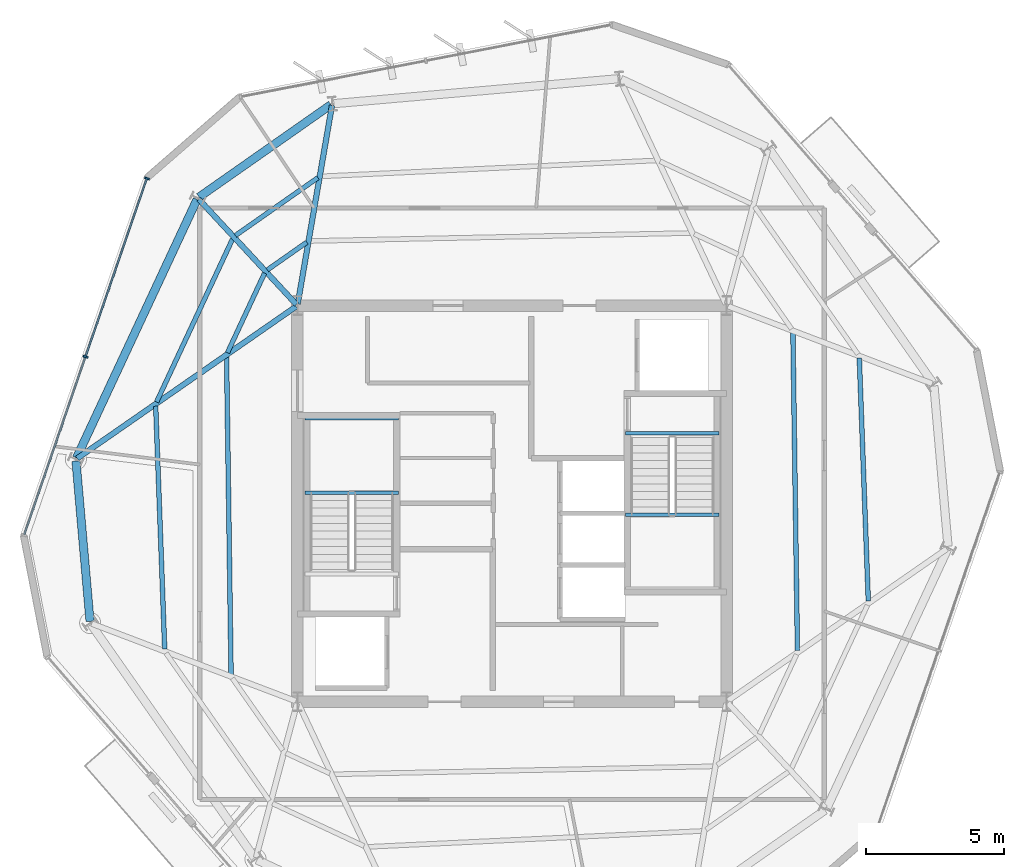
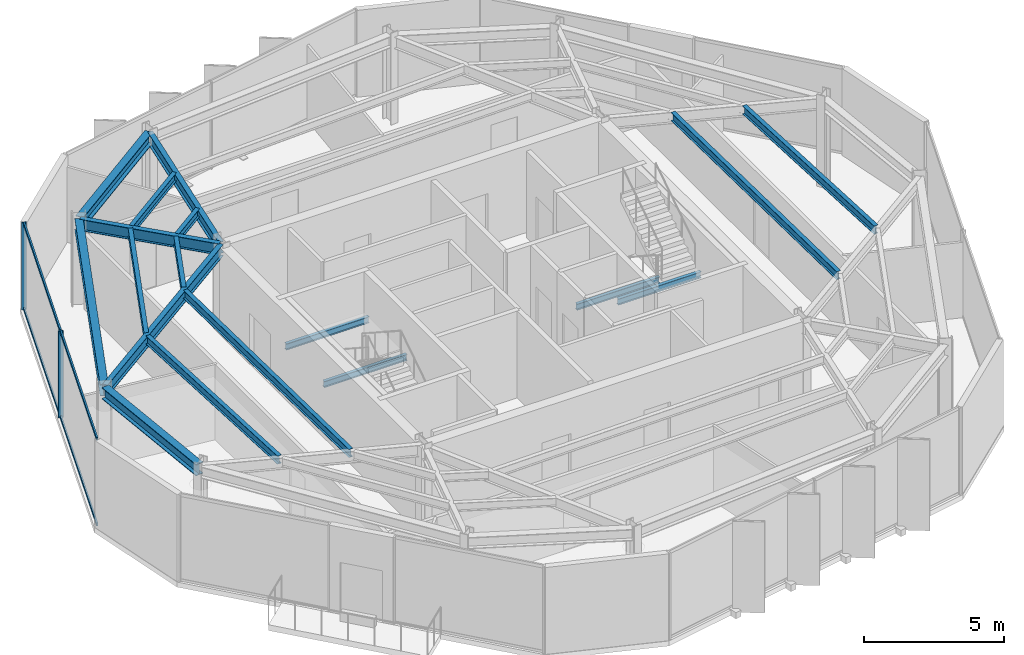
# One storey, part 3 of 10: 18 beams, 6 members, 1 element without a shape of its own.
"""IFC4 building model written with IfcOpenShell, lengths in metres."""

from ifc_helpers import new_model, si_unit, direction, frame, origin, origin_2d, place, context, subcontext, project, spatial, rectangle, i_section, extrude, material, layer, layer_set, material_profile, profile_set, type_object, element, aggregate, save


model = new_model("IFC4")

# Units and contexts
model_context = context("Model", 3, precision=1e-05, world=origin(), true_north=direction((0.0, 1.0)))
body_context = subcontext(model_context, "Body", "Model", "MODEL_VIEW")
ifc_project = project(units=[si_unit("LENGTHUNIT", "METRE"), si_unit("AREAUNIT", "SQUARE_METRE"), si_unit("VOLUMEUNIT", "CUBIC_METRE"), si_unit("PLANEANGLEUNIT", "RADIAN"), si_unit("MASSUNIT", "GRAM", prefix="KILO")], contexts=[model_context])

# Site, building, storey
site_placement = place(None, origin())
site = spatial("IfcSite", under=ifc_project, at=site_placement, CompositionType="ELEMENT")
building_placement = place(site_placement, origin())
building = spatial("IfcBuilding", under=site, at=building_placement, Name="Kranzbogen Civic Tower", CompositionType="ELEMENT")
storey_placement = place(building_placement, frame((0.0, 0.0, 310.199951171875)))
storey = spatial("IfcBuildingStorey", under=building, at=storey_placement, Name="L75", CompositionType="ELEMENT", Elevation=310.199951171875)

# Curtain wall, members
ifc_material_1 = material(Name="Pale Anodised Aluminium", Category="aluminium")
ifc_layer = layer(ifc_material_1, 0.219970703125, Name="Pale Anodised Aluminium")
ifc_layer_set = layer_set([ifc_layer], Name="Pale Anodised Aluminium")
curtain_wall_type = type_object("IfcCurtainWallType", Name="Zone 4 Stick Curtain Wall System CW-05", PredefinedType="USERDEFINED", material=ifc_layer_set)
curtain_wall_placement = place(storey_placement, origin())
curtain_wall = element("IfcCurtainWall", 1, at=curtain_wall_placement, inside=storey, type_object=curtain_wall_type, Name="L75 curtain wall CW-L75-F2", ObjectType="STICK CURTAIN WALL", PredefinedType="USERDEFINED")
ifc_material_profile_1 = material_profile(ifc_material_1, rectangle(XDim=0.06494140625, YDim=0.179931640625, at=origin_2d()), Name="ALU-M 65x180")
ifc_profile_set_1 = profile_set([ifc_material_profile_1], Name="Pale Anodised Aluminium")
member_type_1 = type_object("IfcMemberType", Name="Curtain Wall Mullion ALU-M 65x180", PredefinedType="MULLION", material=ifc_profile_set_1)
member_1_placement = place(storey_placement, frame((11.730224609375, 36.82275390625, 0.0), z_axis=(0.0, 0.0, 1.0), x_axis=(-0.325554430043, -0.945523301183, 0.0)))
member_1 = element("IfcMember", 2, at=member_1_placement, type_object=member_type_1, Name="CW-05 mullion 1", PredefinedType="MULLION", context=body_context, shape_type="SweptSolid", body=[
    extrude(rectangle(XDim=0.06494140625, YDim=0.179931640625, at=origin_2d()), origin(), (0.0, 0.0, 1.0), 3.780029296875),
])
member_2_placement = place(storey_placement, frame((9.49755859375, 30.337890625, 0.0), z_axis=(0.0, 0.0, 1.0), x_axis=(-0.325554430043, -0.945523301183, 0.0)))
member_2 = element("IfcMember", 3, at=member_2_placement, type_object=member_type_1, Name="CW-05 mullion 2", PredefinedType="MULLION", context=body_context, shape_type="SweptSolid", body=[
    extrude(rectangle(XDim=0.06494140625, YDim=0.179931640625, at=origin_2d()), origin(), (0.0, 0.0, 1.0), 3.780029296875),
])
ifc_material_profile_2 = material_profile(ifc_material_1, rectangle(XDim=0.06494140625, YDim=0.135009765625, at=origin_2d()), Name="ALU-T 65x135")
ifc_profile_set_2 = profile_set([ifc_material_profile_2], Name="Pale Anodised Aluminium")
member_type_2 = type_object("IfcMemberType", Name="Curtain Wall Transom ALU-T 65x135", PredefinedType="USERDEFINED", material=ifc_profile_set_2)
member_3_placement = place(storey_placement, frame((11.720458984375, 36.794189453125, 0.030029296875), z_axis=(-0.325553468761, -0.945523632162, 0.0), x_axis=(0.945523632162, -0.325553468761, 0.0)))
member_3 = element("IfcMember", 4, at=member_3_placement, type_object=member_type_2, Name="CW-05 transom 1.1", ObjectType="TRANSOM", PredefinedType="USERDEFINED", context=body_context, shape_type="SweptSolid", body=[
    extrude(rectangle(XDim=0.06494140625, YDim=0.135009765625, at=origin_2d()), origin(), (0.0, 0.0, 1.0), 6.798095703125),
])
member_4_placement = place(storey_placement, frame((11.720458984375, 36.794189453125, 3.75), z_axis=(-0.325553468761, -0.945523632162, 0.0), x_axis=(0.945523632162, -0.325553468761, 0.0)))
member_4 = element("IfcMember", 5, at=member_4_placement, type_object=member_type_2, Name="CW-05 transom 1.2", ObjectType="TRANSOM", PredefinedType="USERDEFINED", context=body_context, shape_type="SweptSolid", body=[
    extrude(rectangle(XDim=0.06494140625, YDim=0.135009765625, at=origin_2d()), origin(), (0.0, 0.0, 1.0), 6.798095703125),
])
member_5_placement = place(storey_placement, frame((9.48779296875, 30.3095703125, 0.030029296875), z_axis=(-0.325585575166, -0.945512576989, 0.0), x_axis=(0.945512576989, -0.325585575166, 0.0)))
member_5 = element("IfcMember", 6, at=member_5_placement, type_object=member_type_2, Name="CW-05 transom 2.1", ObjectType="TRANSOM", PredefinedType="USERDEFINED", context=body_context, shape_type="SweptSolid", body=[
    extrude(rectangle(XDim=0.06494140625, YDim=0.135009765625, at=origin_2d()), origin(), (0.0, 0.0, 1.0), 6.798095703125),
])
member_6_placement = place(storey_placement, frame((9.48779296875, 30.3095703125, 3.75), z_axis=(-0.325585575166, -0.945512576989, 0.0), x_axis=(0.945512576989, -0.325585575166, 0.0)))
member_6 = element("IfcMember", 7, at=member_6_placement, type_object=member_type_2, Name="CW-05 transom 2.2", ObjectType="TRANSOM", PredefinedType="USERDEFINED", context=body_context, shape_type="SweptSolid", body=[
    extrude(rectangle(XDim=0.06494140625, YDim=0.135009765625, at=origin_2d()), origin(), (0.0, 0.0, 1.0), 6.798095703125),
])
aggregate(curtain_wall, [member_1, member_2, member_3, member_4, member_5, member_6])

# Beams
ifc_material_2 = material(Name="Steel S355", Category="steel")
ifc_material_profile_3 = material_profile(ifc_material_2, i_section(OverallWidth=0.300048828125, OverallDepth=0.5, WebThickness=0.014404296875, FlangeThickness=0.028076171875, at=origin_2d()), Name="HEB 500")
ifc_profile_set_3 = profile_set([ifc_material_profile_3], Name="Steel S355")
beam_type_1 = type_object("IfcBeamType", Name="Perimeter Tube Spandrel Beam HEB 500", PredefinedType="SPANDREL", material=ifc_profile_set_3)
beam_1_placement = place(storey_placement, frame((18.41796875, 39.501953125, 3.530029296875), z_axis=(-0.819059436004, -0.57370867197, 0.0), x_axis=(0.57370867197, -0.819059436004, 0.0)))
element("IfcBeam", 8, at=beam_1_placement, inside=storey, type_object=beam_type_1, Name="L75 perimeter spandrel beam 10", PredefinedType="SPANDREL", context=body_context, shape_type="SweptSolid", body=[
    extrude(i_section(OverallWidth=0.300048828125, OverallDepth=0.5, WebThickness=0.014404296875, FlangeThickness=0.028076171875, at=origin_2d()), origin(), (0.0, 0.0, 1.0), 5.85302734375),
])
beam_2_placement = place(storey_placement, frame((13.550048828125, 36.055908203125, 3.530029296875), z_axis=(-0.422668780888, -0.906284227857, 0.0), x_axis=(0.906284227857, -0.422668780888, 0.0)))
element("IfcBeam", 9, at=beam_2_placement, inside=storey, type_object=beam_type_1, Name="L75 perimeter spandrel beam 11", PredefinedType="SPANDREL", context=body_context, shape_type="SweptSolid", body=[
    extrude(i_section(OverallWidth=0.300048828125, OverallDepth=0.5, WebThickness=0.014404296875, FlangeThickness=0.028076171875, at=origin_2d()), origin(), (0.0, 0.0, 1.0), 10.363037109375),
])
beam_3_placement = place(storey_placement, frame((9.14990234375, 26.550048828125, 3.530029296875), z_axis=(0.087326362434, -0.99617975608, 0.0), x_axis=(0.99617975608, 0.087326362434, 0.0)))
element("IfcBeam", 10, at=beam_3_placement, inside=storey, type_object=beam_type_1, Name="L75 perimeter spandrel beam 12", PredefinedType="SPANDREL", context=body_context, shape_type="SweptSolid", body=[
    extrude(i_section(OverallWidth=0.300048828125, OverallDepth=0.5, WebThickness=0.014404296875, FlangeThickness=0.028076171875, at=origin_2d()), origin(), (0.0, 0.0, 1.0), 5.8515625),
])
ifc_material_profile_4 = material_profile(ifc_material_2, i_section(OverallWidth=0.199951171875, OverallDepth=0.5, WebThickness=0.01025390625, FlangeThickness=0.01611328125, at=origin_2d()), Name="IPE 500")
ifc_profile_set_4 = profile_set([ifc_material_profile_4], Name="Steel S355")
beam_type_2 = type_object("IfcBeamType", Name="Radial Tower Floor Girder IPE 500", PredefinedType="BEAM", material=ifc_profile_set_4)
beam_4_placement = place(storey_placement, frame((18.45703125, 39.47705078125, 3.530029296875), z_axis=(-0.170249558486, -0.985400978199, 0.0), x_axis=(0.985400978199, -0.170249558486, 0.0)))
element("IfcBeam", 11, at=beam_4_placement, inside=storey, type_object=beam_type_2, Name="L75 radial floor girder 10", PredefinedType="BEAM", context=body_context, shape_type="SweptSolid", body=[
    extrude(i_section(OverallWidth=0.199951171875, OverallDepth=0.5, WebThickness=0.01025390625, FlangeThickness=0.01611328125, at=origin_2d()), origin(), (0.0, 0.0, 1.0), 7.324951171875),
])
beam_5_placement = place(storey_placement, frame((13.615966796875, 36.06591796875, 3.530029296875), z_axis=(0.679827353702, -0.733372190064, 0.0), x_axis=(0.733372190064, 0.679827353702, 0.0)))
element("IfcBeam", 12, at=beam_5_placement, inside=storey, type_object=beam_type_2, Name="L75 radial floor girder 11", PredefinedType="BEAM", context=body_context, shape_type="SweptSolid", body=[
    extrude(i_section(OverallWidth=0.199951171875, OverallDepth=0.5, WebThickness=0.01025390625, FlangeThickness=0.01611328125, at=origin_2d()), origin(), (0.0, 0.0, 1.0), 5.211669921875),
])
beam_6_placement = place(storey_placement, frame((9.194091796875, 26.64404296875, 3.530029296875), z_axis=(0.821542812331, 0.570146829779, 0.0), x_axis=(-0.570146829779, 0.821542812331, 0.0)))
element("IfcBeam", 13, at=beam_6_placement, inside=storey, type_object=beam_type_2, Name="L75 radial floor girder 12", PredefinedType="BEAM", context=body_context, shape_type="SweptSolid", body=[
    extrude(i_section(OverallWidth=0.199951171875, OverallDepth=0.5, WebThickness=0.01025390625, FlangeThickness=0.01611328125, at=origin_2d()), origin(), (0.0, 0.0, 1.0), 9.68505859375),
])
ifc_material_profile_5 = material_profile(ifc_material_2, i_section(OverallWidth=0.169921875, OverallDepth=0.360107421875, WebThickness=0.008056640625, FlangeThickness=0.0126953125, at=origin_2d()), Name="IPE 360")
ifc_profile_set_5 = profile_set([ifc_material_profile_5], Name="Steel S355")
beam_type_3 = type_object("IfcBeamType", Name="Secondary Composite Floor Joist IPE 360", PredefinedType="JOIST", material=ifc_profile_set_5)
beam_7_placement = place(storey_placement, frame((37.951904296875, 21.4580078125, 3.60009765625), z_axis=(-0.036992246074, 0.999315552631, 0.0), x_axis=(-0.999315552631, -0.036992246074, 0.0)))
element("IfcBeam", 14, at=beam_7_placement, inside=storey, type_object=beam_type_3, Name="L75 secondary floor joist 1.06", PredefinedType="JOIST", context=body_context, shape_type="SweptSolid", body=[
    extrude(i_section(OverallWidth=0.169921875, OverallDepth=0.360107421875, WebThickness=0.008056640625, FlangeThickness=0.0126953125, at=origin_2d()), origin(), (0.0, 0.0, 1.0), 8.837158203125),
])
beam_8_placement = place(storey_placement, frame((35.3759765625, 19.6689453125, 3.60009765625), z_axis=(-0.014221385906, 0.999898870978, 0.0), x_axis=(-0.999898870978, -0.014221385906, 0.0)))
element("IfcBeam", 15, at=beam_8_placement, inside=storey, type_object=beam_type_3, Name="L75 secondary floor joist 2.06", PredefinedType="JOIST", context=body_context, shape_type="SweptSolid", body=[
    extrude(i_section(OverallWidth=0.169921875, OverallDepth=0.360107421875, WebThickness=0.008056640625, FlangeThickness=0.0126953125, at=origin_2d()), origin(), (0.0, 0.0, 1.0), 11.536376953125),
])
beam_9_placement = place(storey_placement, frame((17.945068359375, 36.84912109375, 3.60009765625), z_axis=(-0.819006333711, -0.573784476385, 0.0), x_axis=(0.573784476385, -0.819006333711, 0.0)))
element("IfcBeam", 16, at=beam_9_placement, inside=storey, type_object=beam_type_3, Name="L75 secondary floor joist 1.10", PredefinedType="JOIST", context=body_context, shape_type="SweptSolid", body=[
    extrude(i_section(OverallWidth=0.169921875, OverallDepth=0.360107421875, WebThickness=0.008056640625, FlangeThickness=0.0126953125, at=origin_2d()), origin(), (0.0, 0.0, 1.0), 3.661865234375),
])
beam_10_placement = place(storey_placement, frame((17.5400390625, 34.501953125, 3.60009765625), z_axis=(-0.818956727849, -0.573855276103, 0.0), x_axis=(0.573855276103, -0.818956727849, 0.0)))
element("IfcBeam", 17, at=beam_10_placement, inside=storey, type_object=beam_type_3, Name="L75 secondary floor joist 2.10", PredefinedType="JOIST", context=body_context, shape_type="SweptSolid", body=[
    extrude(i_section(OverallWidth=0.169921875, OverallDepth=0.360107421875, WebThickness=0.008056640625, FlangeThickness=0.0126953125, at=origin_2d()), origin(), (0.0, 0.0, 1.0), 1.751220703125),
])
beam_11_placement = place(storey_placement, frame((14.845947265625, 34.6298828125, 3.60009765625), z_axis=(-0.422542528713, -0.906343098075, 0.0), x_axis=(0.906343098075, -0.422542528713, 0.0)))
element("IfcBeam", 18, at=beam_11_placement, inside=storey, type_object=beam_type_3, Name="L75 secondary floor joist 1.11", PredefinedType="JOIST", context=body_context, shape_type="SweptSolid", body=[
    extrude(i_section(OverallWidth=0.169921875, OverallDepth=0.360107421875, WebThickness=0.008056640625, FlangeThickness=0.0126953125, at=origin_2d()), origin(), (0.0, 0.0, 1.0), 6.548095703125),
])
beam_12_placement = place(storey_placement, frame((16.006103515625, 33.37890625, 3.60009765625), z_axis=(-0.422651143991, -0.906292453065, 0.0), x_axis=(0.906292453065, -0.422651143991, 0.0)))
element("IfcBeam", 19, at=beam_12_placement, inside=storey, type_object=beam_type_3, Name="L75 secondary floor joist 2.11", PredefinedType="JOIST", context=body_context, shape_type="SweptSolid", body=[
    extrude(i_section(OverallWidth=0.169921875, OverallDepth=0.360107421875, WebThickness=0.008056640625, FlangeThickness=0.0126953125, at=origin_2d()), origin(), (0.0, 0.0, 1.0), 3.1943359375),
])
beam_13_placement = place(storey_placement, frame((12.048095703125, 28.5419921875, 3.60009765625), z_axis=(0.036992246074, -0.999315552631, 0.0), x_axis=(0.999315552631, 0.036992246074, 0.0)))
element("IfcBeam", 20, at=beam_13_placement, inside=storey, type_object=beam_type_3, Name="L75 secondary floor joist 1.12", PredefinedType="JOIST", context=body_context, shape_type="SweptSolid", body=[
    extrude(i_section(OverallWidth=0.169921875, OverallDepth=0.360107421875, WebThickness=0.008056640625, FlangeThickness=0.0126953125, at=origin_2d()), origin(), (0.0, 0.0, 1.0), 8.837158203125),
])
beam_14_placement = place(storey_placement, frame((14.6240234375, 30.3310546875, 3.60009765625), z_axis=(0.014221385906, -0.999898870978, 0.0), x_axis=(0.999898870978, 0.014221385906, 0.0)))
element("IfcBeam", 21, at=beam_14_placement, inside=storey, type_object=beam_type_3, Name="L75 secondary floor joist 2.12", PredefinedType="JOIST", context=body_context, shape_type="SweptSolid", body=[
    extrude(i_section(OverallWidth=0.169921875, OverallDepth=0.360107421875, WebThickness=0.008056640625, FlangeThickness=0.0126953125, at=origin_2d()), origin(), (0.0, 0.0, 1.0), 11.536376953125),
])
ifc_material_profile_6 = material_profile(ifc_material_2, i_section(OverallWidth=0.135009765625, OverallDepth=0.27001953125, WebThickness=0.006591796875, FlangeThickness=0.01025390625, at=origin_2d()), Name="IPE 270")
ifc_profile_set_6 = profile_set([ifc_material_profile_6], Name="Steel S355")
beam_type_4 = type_object("IfcBeamType", Name="Stair Landing Support Beam IPE 270", PredefinedType="JOIST", material=ifc_profile_set_6)
for number, where, z_axis, x_axis, name in (
    (22, (20.8798828125, 25.39990234375, 1.6650390625), (-1.0, 0.0, 0.0), (0.0, -1.0, 0.0), "L75 ST-T1 landing support beam 1.1"),
    (23, (20.8798828125, 28.10009765625, 1.6650390625), (-1.0, 0.0, 0.0), (0.0, -1.0, 0.0), "L75 ST-T1 landing support beam 1.2"),
    (24, (29.1201171875, 27.56005859375, -0.35498046875), (1.0, 0.0, 0.0), (0.0, 1.0, 0.0), "L75 ST-T2 stair floor header beam"),
    (25, (29.1201171875, 24.60009765625, 1.6650390625), (1.0, 0.0, 0.0), (0.0, 1.0, 0.0), "L75 ST-T2 landing support beam 1.1"),
):
    element("IfcBeam", number, at=place(storey_placement, frame(where, z_axis=z_axis, x_axis=x_axis)), inside=storey, type_object=beam_type_4, Name=name, PredefinedType="JOIST", context=body_context, shape_type="SweptSolid", body=[
        extrude(i_section(OverallWidth=0.135009765625, OverallDepth=0.27001953125, WebThickness=0.006591796875, FlangeThickness=0.01025390625, at=origin_2d()), origin(), (0.0, 0.0, 1.0), 3.409912109375),
    ])

save(model, "model.ifc")
